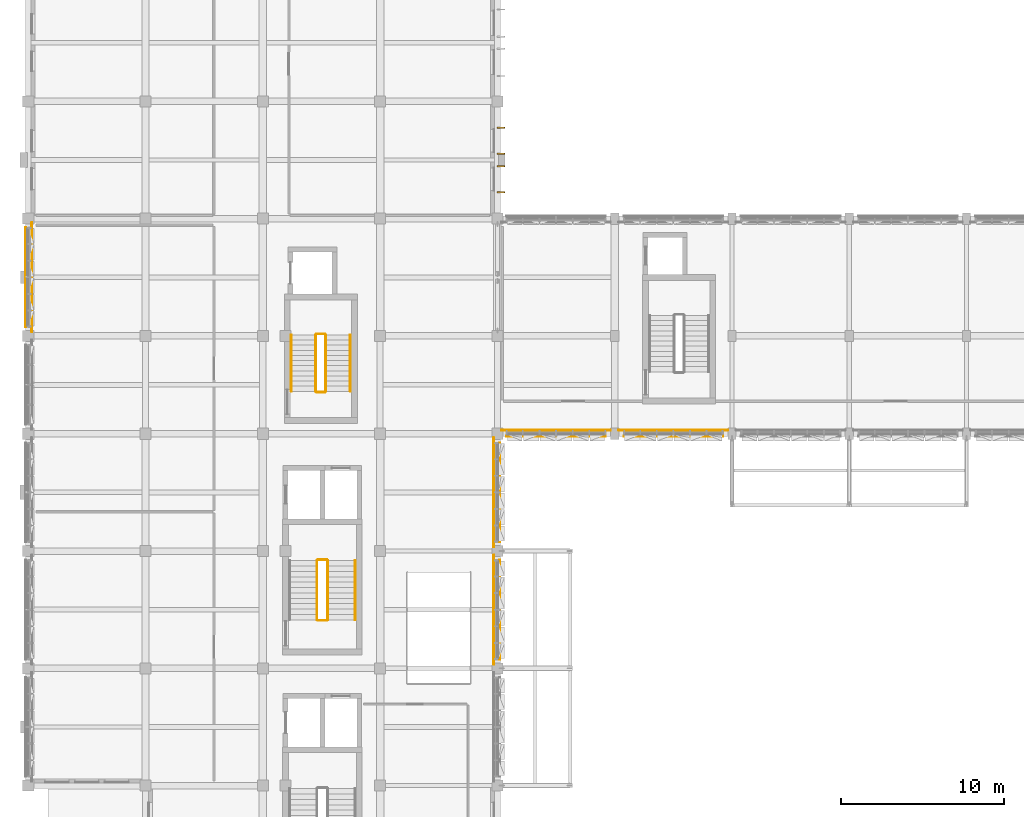
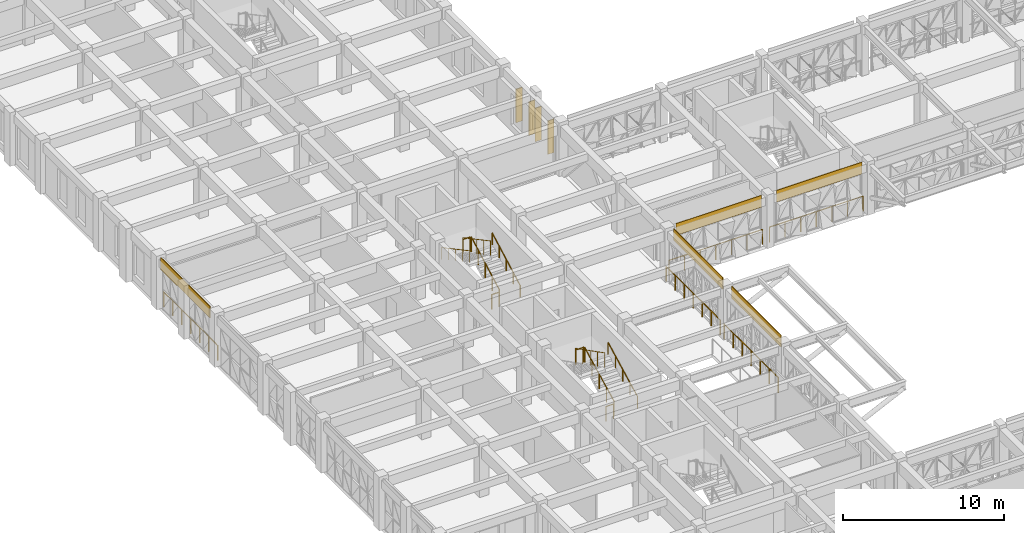
# One storey, part 72 of 88: 16 railings, 9 coverings.
"""IFC4 building model written with IfcOpenShell, lengths in metres."""

import ifcopenshell
import ifcopenshell.guid

model = None  # the IFC model being written
_history = None  # IfcOwnerHistory: only IFC2X3 demands one
_inside = {}  # id of a spatial element -> (the spatial element, [elements in it])
_under = {}  # id of a project, library or spatial element -> (it, [spatial elements below it])
_declared = {}  # id of a project -> (the project, [libraries it declares])
_typed = {}  # id of a type object -> (the type object, [elements of that type])
_made_of = {}  # id of a material, layer set ... -> (it, [elements and type objects made of it])


def new_model(schema):
    """Start an empty IFC model of exactly this schema.

    Asked for "IFC4X3", IfcOpenShell would pick the latest addendum, in which some entities
    have other attributes; the version numbers below select the first issue.
    IFC2X3 requires an IfcOwnerHistory on every rooted entity: one is made here for all.
    """
    global model, _history
    if schema == "IFC4X3":
        model = ifcopenshell.file(schema_version=(4, 3, 0, 0))
    else:
        model = ifcopenshell.file(schema=schema)
    _inside.clear()
    _under.clear()
    _declared.clear()
    _typed.clear()
    _made_of.clear()
    _history = None
    if model.schema == "IFC2X3":
        org = make("IfcOrganization", Name="unknown")
        user = make(
            "IfcPersonAndOrganization",
            ThePerson=make("IfcPerson", FamilyName="unknown"),
            TheOrganization=org,
        )
        app = make(
            "IfcApplication",
            ApplicationDeveloper=org,
            Version="unknown",
            ApplicationFullName="unknown",
            ApplicationIdentifier="unknown",
        )
        _history = make(
            "IfcOwnerHistory",
            OwningUser=user,
            OwningApplication=app,
            ChangeAction="ADDED",
            CreationDate=0,
        )
    return model


def make(cls, **values):
    """One entity of the class cls with the attributes given. An attribute that is None is left unset."""
    return model.create_entity(
        cls, **{name: value for name, value in values.items() if value is not None}
    )


def rooted(cls, **values):
    """An entity with a GlobalId (a new one), such as an element, a storey or a relation."""
    return make(cls, GlobalId=ifcopenshell.guid.new(), OwnerHistory=_history, **values)


def si_unit(unit_type, name, prefix=None):
    """IfcSIUnit, for example si_unit("LENGTHUNIT", "METRE", prefix="MILLI")."""
    return make("IfcSIUnit", UnitType=unit_type, Prefix=prefix, Name=name)


def assignment(units):
    """IfcUnitAssignment: the units of a project."""
    return None if units is None else make("IfcUnitAssignment", Units=units)


def point(xyz):
    """IfcCartesianPoint."""
    return None if xyz is None else make("IfcCartesianPoint", Coordinates=xyz)


def direction(xyz):
    """IfcDirection."""
    return None if xyz is None else make("IfcDirection", DirectionRatios=xyz)


def frame(location, z_axis=None, x_axis=None):
    """IfcAxis2Placement3D, a coordinate frame: its origin and axes. An axis left out is left unset."""
    return make(
        "IfcAxis2Placement3D",
        Location=point(location),
        Axis=direction(z_axis),
        RefDirection=direction(x_axis),
    )


def frame_2d(location, x_axis=None):
    """IfcAxis2Placement2D, a coordinate frame in the plane: its origin and x axis."""
    return make(
        "IfcAxis2Placement2D", Location=point(location), RefDirection=direction(x_axis)
    )


def origin():
    """The frame at (0, 0, 0) with its axes left unset."""
    return frame((0.0, 0.0, 0.0))


def origin_2d():
    """The frame at (0, 0) in the plane with its x axis left unset."""
    return frame_2d((0.0, 0.0))


def place(relative_to, where):
    """IfcLocalPlacement: puts the frame where relative to a parent placement (None: the world)."""
    return make(
        "IfcLocalPlacement", PlacementRelTo=relative_to, RelativePlacement=where
    )


def context(
    kind, dimensions, precision=None, world=None, true_north=None, identifier=None
):
    """IfcGeometricRepresentationContext, for example the 3D "Model" context."""
    return make(
        "IfcGeometricRepresentationContext",
        ContextIdentifier=identifier,
        ContextType=kind,
        CoordinateSpaceDimension=dimensions,
        Precision=precision,
        WorldCoordinateSystem=world,
        TrueNorth=true_north,
    )


def subcontext(parent, identifier, kind, view, scale=None):
    """IfcGeometricRepresentationSubContext, for example "Body" below "Model"."""
    return make(
        "IfcGeometricRepresentationSubContext",
        ContextIdentifier=identifier,
        ContextType=kind,
        ParentContext=parent,
        TargetScale=scale,
        TargetView=view,
    )


def project(units=None, contexts=None):
    """IfcProject with its units and contexts."""
    return rooted(
        "IfcProject",
        Name="project",
        RepresentationContexts=contexts,
        UnitsInContext=assignment(units),
    )


def spatial(cls, under=None, at=None, **own):
    """A site, building, storey or space (cls), placed at a placement, below another one or the project."""
    s = rooted(cls, ObjectPlacement=at, **own)
    if under is not None:
        _under.setdefault(under.id(), (under, []))[1].append(s)
    return s


def polyline(points):
    """IfcPolyline through the points."""
    return make("IfcPolyline", Points=[point(p) for p in points])


def profile(cls, at=None, kind="AREA", **sizes):
    """A parametric profile (cls). Its sizes go by their IFC names, for example OverallWidth=200.0."""
    return make(cls, ProfileType=kind, Position=at, **sizes)


def circle(**sizes):
    """IfcCircleProfileDef."""
    return profile("IfcCircleProfileDef", **sizes)


def outline(outer, holes=None, kind="AREA"):
    """IfcArbitraryClosedProfileDef: a profile drawn as a closed curve; with holes, ...WithVoids."""
    if holes is None:
        return make("IfcArbitraryClosedProfileDef", ProfileType=kind, OuterCurve=outer)
    return make(
        "IfcArbitraryProfileDefWithVoids",
        ProfileType=kind,
        OuterCurve=outer,
        InnerCurves=holes,
    )


def extrude(swept, where, along, depth):
    """IfcExtrudedAreaSolid: the profile swept, set in the frame where, extruded along a direction by depth."""
    return make(
        "IfcExtrudedAreaSolid",
        SweptArea=swept,
        Position=where,
        ExtrudedDirection=direction(along),
        Depth=depth,
    )


def shape(context_of_items, identifier, shape_type, items):
    """IfcShapeRepresentation: the items that make up one representation, for example the "Body"."""
    return make(
        "IfcShapeRepresentation",
        ContextOfItems=context_of_items,
        RepresentationIdentifier=identifier,
        RepresentationType=shape_type,
        Items=items,
    )


def material(Name=None, Category=None):
    """IfcMaterial."""
    return make("IfcMaterial", Name=Name, Category=Category)


def layer(
    of_material, thickness, ventilated=None, Name=None, Category=None, Priority=None
):
    """IfcMaterialLayer: one layer of a wall or slab, of a material (None: an air gap)."""
    return make(
        "IfcMaterialLayer",
        Material=of_material,
        LayerThickness=thickness,
        IsVentilated=ventilated,
        Name=Name,
        Category=Category,
        Priority=Priority,
    )


def layer_set(layers, Name=None):
    """IfcMaterialLayerSet."""
    return make("IfcMaterialLayerSet", MaterialLayers=layers, LayerSetName=Name)


def made_of(thing, what):
    """Note that an element or type object is made of a material, layer set ...; save() writes the relation."""
    if what is not None:
        _made_of.setdefault(what.id(), (what, []))[1].append(thing)
    return thing


def type_object(cls, material=None, **own):
    """A type object (cls), such as IfcWallType, which elements share."""
    return made_of(rooted(cls, **own), material)


def element(
    cls,
    number,
    at=None,
    inside=None,
    cuts=None,
    type_object=None,
    material=None,
    context=None,
    identifier="Body",
    shape_type=None,
    held_by="IfcProductDefinitionShape",
    body=None,
    shapes=None,
    **own,
):
    """One element of the class cls, such as IfcWall. Its Tag is "e" and its number.

    at: its placement. inside: the storey or other place that contains it. cuts: it is an
    opening in that element (IfcRelVoidsElement). A single representation is given by context,
    identifier, shape_type and body (its items); several are given by shapes. held_by: the class
    of the entity that holds the representations. save() writes the other relations.
    """
    e = rooted(cls, Tag="e%d" % number, ObjectPlacement=at, **own)
    if body is not None:
        shapes = [shape(context, identifier, shape_type, body)]
    if shapes is not None:
        e.Representation = make(held_by, Representations=shapes)
    if inside is not None:
        _inside.setdefault(inside.id(), (inside, []))[1].append(e)
    if cuts is not None:
        rooted(
            "IfcRelVoidsElement", RelatingBuildingElement=cuts, RelatedOpeningElement=e
        )
    if type_object is not None:
        _typed.setdefault(type_object.id(), (type_object, []))[1].append(e)
    return made_of(e, material)


def aggregate(whole, parts):
    """IfcRelAggregates: a whole, such as a stair, and the parts it consists of."""
    return rooted("IfcRelAggregates", RelatingObject=whole, RelatedObjects=parts)


def save(model, path):
    """Write the relations noted so far, then the file.

    IfcRelAggregates (storeys below a building ...), IfcRelContainedInSpatialStructure (elements
    in a storey), IfcRelDefinesByType, IfcRelAssociatesMaterial and IfcRelDeclares: one each for
    every whole, place, type object, material and project.
    """
    for whole, parts in _under.values():
        aggregate(whole, parts)
    for where, things in _inside.values():
        rooted(
            "IfcRelContainedInSpatialStructure",
            RelatedElements=things,
            RelatingStructure=where,
        )
    for kind, things in _typed.values():
        rooted("IfcRelDefinesByType", RelatedObjects=things, RelatingType=kind)
    for what, things in _made_of.values():
        rooted("IfcRelAssociatesMaterial", RelatedObjects=things, RelatingMaterial=what)
    for by, libraries in _declared.values():
        rooted("IfcRelDeclares", RelatingContext=by, RelatedDefinitions=libraries)
    model.write(path)


model = new_model("IFC4")

# Units and contexts
model_context = context("Model", 3, precision=1e-05, world=origin(), true_north=direction((0.0, 1.0)))
body_context = subcontext(model_context, "Body", "Model", "MODEL_VIEW")
ifc_project = project(units=[si_unit("LENGTHUNIT", "METRE"), si_unit("AREAUNIT", "SQUARE_METRE"), si_unit("VOLUMEUNIT", "CUBIC_METRE"), si_unit("PLANEANGLEUNIT", "RADIAN"), si_unit("MASSUNIT", "GRAM", prefix="KILO")], contexts=[model_context])

# Site, building, storey
site_placement = place(None, origin())
site = spatial("IfcSite", under=ifc_project, at=site_placement, CompositionType="ELEMENT")
building_placement = place(site_placement, origin())
building = spatial("IfcBuilding", under=site, at=building_placement, Name="Alvorim Cloister Faculty of Sciences", CompositionType="ELEMENT")
storey_placement = place(building_placement, frame((0.0, 0.0, 4.5)))
storey = spatial("IfcBuildingStorey", under=building, at=storey_placement, Name="L01", CompositionType="ELEMENT", Elevation=4.5)

# Coverings
ifc_material_1 = material(Name="Anodised Aluminium Alloy 6063-T6", Category="aluminium")
ifc_layer_1 = layer(ifc_material_1, 0.031982421875)
ifc_layer_set_1 = layer_set([ifc_layer_1], Name="Anodised Aluminium Alloy 6063-T6")
covering_type_1 = type_object("IfcCoveringType", Name="COV-FAC-CAS", PredefinedType="CLADDING", material=ifc_layer_set_1)
for number, where, z_axis, x_axis, name in (
    (1, (-0.14990234375, 49.739990234375, 3.14990234375), (0.0, 0.0, 1.0), (0.0, 1.0, 0.0), "L01 Shifted Bar Slab-Edge Architectural Fascia"),
    (2, (36.5400390625, 43.050048828125, 3.14990234375), (0.0, 0.0, 1.0), (1.0, 0.0, 0.0), "L01 Shifted Bar Slab-Edge Architectural Fascia"),
    (3, (29.340087890625, 43.050048828125, 3.14990234375), (0.0, 0.0, 1.0), (1.0, 0.0, 0.0), "L01 Shifted Bar Slab-Edge Architectural Fascia"),
    (4, (28.949951171875, 36.5400390625, 3.14990234375), (0.0, 0.0, 1.0), (0.0, 1.0, 0.0), "L01 Shifted Bar Slab-Edge Architectural Fascia"),
    (5, (28.949951171875, 29.340087890625, 3.14990234375), (0.0, 0.0, 1.0), (0.0, 1.0, 0.0), "L01 Shifted Bar Slab-Edge Architectural Fascia"),
):
    element("IfcCovering", number, at=place(storey_placement, frame(where, z_axis=z_axis, x_axis=x_axis)), inside=storey, type_object=covering_type_1, Name=name, PredefinedType="CLADDING", context=body_context, shape_type="SweptSolid", body=[
        extrude(outline(polyline([(0.0, 0.0), (6.1201171875, 0.0), (6.1201171875, 0.89013671875), (0.0, 0.89013671875), (0.0, 0.0)])), frame((0.0, 0.0224609375, 0.0), z_axis=(0.0, -1.0, 0.0), x_axis=(1.0, 0.0, 0.0)), (0.0, 0.0, 1.0), 0.044921875),
    ])
ifc_layer_2 = layer(ifc_material_1, 0.054931640625)
ifc_layer_set_2 = layer_set([ifc_layer_2], Name="Anodised Aluminium Alloy 6063-T6")
covering_type_2 = type_object("IfcCoveringType", Name="COV-SHD-FIN", PredefinedType="CLADDING", material=ifc_layer_set_2)
for number, where, z_axis, x_axis, name in (
    (6, (28.800048828125, 58.026611328125, 0.389892578125), (0.0, 0.0, 1.0), (1.0, 0.0, 0.0), "L01 Brise-Soleil Vertical Fin COV-FIN-00280"),
    (7, (28.800048828125, 59.606689453125, 0.389892578125), (0.0, 0.0, 1.0), (1.0, 0.0, 0.0), "L01 Brise-Soleil Vertical Fin COV-FIN-00281"),
    (8, (28.800048828125, 60.393310546875, 0.389892578125), (0.0, 0.0, 1.0), (1.0, 0.0, 0.0), "L01 Brise-Soleil Vertical Fin COV-FIN-00282"),
    (9, (28.800048828125, 61.973388671875, 0.389892578125), (0.0, 0.0, 1.0), (1.0, 0.0, 0.0), "L01 Brise-Soleil Vertical Fin COV-FIN-00283"),
):
    element("IfcCovering", number, at=place(storey_placement, frame(where, z_axis=z_axis, x_axis=x_axis)), inside=storey, type_object=covering_type_2, Name=name, PredefinedType="CLADDING", context=body_context, shape_type="SweptSolid", body=[
        extrude(outline(polyline([(0.0, 0.0), (0.43994140625, 0.0), (0.43994140625, 2.5400390625), (0.0, 2.5400390625), (0.0, 0.0)])), frame((0.0, 0.02734375, 0.0), z_axis=(0.0, -1.0, 0.0), x_axis=(1.0, 0.0, 0.0)), (0.0, 0.0, 1.0), 0.054931640625),
    ])

# Railings
ifc_material_2 = material(Name="Laminated Safety Glass and Bronze", Category="glass")
railing_type_1 = type_object("IfcRailingType", Name="RL-ATR-BAL-1150", PredefinedType="BALUSTRADE", material=ifc_material_2)
railing_1_placement = place(storey_placement, frame((0.219970703125, 49.449951171875, 0.0)))
element("IfcRailing", 10, at=railing_1_placement, inside=storey, type_object=railing_type_1, Name="L01 Curtain Wall Sill Guard BL-05", PredefinedType="BALUSTRADE", context=body_context, shape_type="SweptSolid", body=[
    extrude(circle(Radius=0.02392578125, at=origin_2d()), frame((0.0, 0.0, 1.1259765625), z_axis=(0.0, 1.0, 0.0), x_axis=(-1.0, 0.0, 0.0)), (0.0, 0.0, 1.0), 6.699951171875),
    extrude(circle(Radius=0.02099609375, at=origin_2d()), origin(), (0.0, 0.0, 1.0), 1.101806640625),
    extrude(circle(Radius=0.02099609375, at=origin_2d()), frame((0.0, 1.11669921875, 0.0)), (0.0, 0.0, 1.0), 1.101806640625),
    extrude(circle(Radius=0.02099609375, at=origin_2d()), frame((0.0, 2.2333984375, 0.0)), (0.0, 0.0, 1.0), 1.101806640625),
    extrude(circle(Radius=0.02099609375, at=origin_2d()), frame((0.0, 3.35009765625, 0.0)), (0.0, 0.0, 1.0), 1.101806640625),
    extrude(circle(Radius=0.02099609375, at=origin_2d()), frame((0.0, 4.466552734375, 0.0)), (0.0, 0.0, 1.0), 1.101806640625),
    extrude(circle(Radius=0.02099609375, at=origin_2d()), frame((0.0, 5.583251953125, 0.0)), (0.0, 0.0, 1.0), 1.101806640625),
    extrude(circle(Radius=0.02099609375, at=origin_2d()), frame((0.0, 6.699951171875, 0.0)), (0.0, 0.0, 1.0), 1.101806640625),
])
for number, where, name in (
    (11, (36.25, 43.419921875, 0.0), "L01 Curtain Wall Sill Guard BL-16"),
    (12, (29.050048828125, 43.419921875, 0.0), "L01 Curtain Wall Sill Guard BL-17"),
):
    element("IfcRailing", number, at=place(storey_placement, frame(where)), inside=storey, type_object=railing_type_1, Name=name, PredefinedType="BALUSTRADE", context=body_context, shape_type="SweptSolid", body=[
        extrude(circle(Radius=0.02392578125, at=origin_2d()), frame((0.0, 0.0, 1.1259765625), z_axis=(1.0, 0.0, 0.0), x_axis=(0.0, 1.0, 0.0)), (0.0, 0.0, 1.0), 6.699951171875),
        extrude(circle(Radius=0.02099609375, at=origin_2d()), origin(), (0.0, 0.0, 1.0), 1.101806640625),
        extrude(circle(Radius=0.02099609375, at=origin_2d()), frame((1.11669921875, 0.0, 0.0)), (0.0, 0.0, 1.0), 1.101806640625),
        extrude(circle(Radius=0.02099609375, at=origin_2d()), frame((2.2333984375, 0.0, 0.0)), (0.0, 0.0, 1.0), 1.101806640625),
        extrude(circle(Radius=0.02099609375, at=origin_2d()), frame((3.35009765625, 0.0, 0.0)), (0.0, 0.0, 1.0), 1.101806640625),
        extrude(circle(Radius=0.02099609375, at=origin_2d()), frame((4.466552734375, 0.0, 0.0)), (0.0, 0.0, 1.0), 1.101806640625),
        extrude(circle(Radius=0.02099609375, at=origin_2d()), frame((5.583251953125, 0.0, 0.0)), (0.0, 0.0, 1.0), 1.101806640625),
        extrude(circle(Radius=0.02099609375, at=origin_2d()), frame((6.699951171875, 0.0, 0.0)), (0.0, 0.0, 1.0), 1.101806640625),
    ])
for number, where, name in (
    (13, (28.580078125, 36.25, 0.0), "L01 Curtain Wall Sill Guard BL-18"),
    (14, (28.580078125, 29.050048828125, 0.0), "L01 Curtain Wall Sill Guard BL-19"),
):
    element("IfcRailing", number, at=place(storey_placement, frame(where)), inside=storey, type_object=railing_type_1, Name=name, PredefinedType="BALUSTRADE", context=body_context, shape_type="SweptSolid", body=[
        extrude(circle(Radius=0.02392578125, at=origin_2d()), frame((0.0, 0.0, 1.1259765625), z_axis=(0.0, 1.0, 0.0), x_axis=(-1.0, 0.0, 0.0)), (0.0, 0.0, 1.0), 6.699951171875),
        extrude(circle(Radius=0.02099609375, at=origin_2d()), origin(), (0.0, 0.0, 1.0), 1.101806640625),
        extrude(circle(Radius=0.02099609375, at=origin_2d()), frame((0.0, 1.11669921875, 0.0)), (0.0, 0.0, 1.0), 1.101806640625),
        extrude(circle(Radius=0.02099609375, at=origin_2d()), frame((0.0, 2.2333984375, 0.0)), (0.0, 0.0, 1.0), 1.101806640625),
        extrude(circle(Radius=0.02099609375, at=origin_2d()), frame((0.0, 3.35009765625, 0.0)), (0.0, 0.0, 1.0), 1.101806640625),
        extrude(circle(Radius=0.02099609375, at=origin_2d()), frame((0.0, 4.466552734375, 0.0)), (0.0, 0.0, 1.0), 1.101806640625),
        extrude(circle(Radius=0.02099609375, at=origin_2d()), frame((0.0, 5.583251953125, 0.0)), (0.0, 0.0, 1.0), 1.101806640625),
        extrude(circle(Radius=0.02099609375, at=origin_2d()), frame((0.0, 6.699951171875, 0.0)), (0.0, 0.0, 1.0), 1.101806640625),
    ])
ifc_material_3 = material(Name="Galvanised Painted Steel", Category="steel")
railing_type_2 = type_object("IfcRailingType", Name="RL-STR-GUARD", PredefinedType="GUARDRAIL", material=ifc_material_3)
railing_2_placement = place(storey_placement, frame((18.389892578125, 31.780029296875, 0.168701171875)))
element("IfcRailing", 15, at=railing_2_placement, inside=storey, type_object=railing_type_2, Name="L01 ST-02 stair guard 1", PredefinedType="GUARDRAIL", context=body_context, shape_type="SweptSolid", body=[
    extrude(circle(Radius=0.02392578125, at=origin_2d()), frame((0.0, 0.0, 1.09619140625), z_axis=(0.0, 0.890342447641, 0.455291473595), x_axis=(-1.0, 0.0, 0.0)), (0.0, 0.0, 1.0), 4.076904296875),
    extrude(circle(Radius=0.02099609375, at=origin_2d()), origin(), (0.0, 0.0, 1.0), 1.072021484375),
    extrude(circle(Radius=0.02099609375, at=origin_2d()), frame((0.0, 0.907470703125, 0.464111328125)), (0.0, 0.0, 1.0), 1.072021484375),
    extrude(circle(Radius=0.02099609375, at=origin_2d()), frame((0.0, 1.81494140625, 0.92822265625)), (0.0, 0.0, 1.0), 1.072021484375),
    extrude(circle(Radius=0.02099609375, at=origin_2d()), frame((0.0, 2.722412109375, 1.39208984375)), (0.0, 0.0, 1.0), 1.072021484375),
    extrude(circle(Radius=0.02099609375, at=origin_2d()), frame((0.0, 3.6298828125, 1.856201171875)), (0.0, 0.0, 1.0), 1.072021484375),
])
railing_3_placement = place(storey_placement, frame((18.340087890625, 35.4599609375, 2.02490234375)))
element("IfcRailing", 16, at=railing_3_placement, inside=storey, type_object=railing_type_2, Name="L01 ST-02 stair guard 2", PredefinedType="GUARDRAIL", context=body_context, shape_type="SweptSolid", body=[
    extrude(circle(Radius=0.02392578125, at=origin_2d()), frame((0.0, 0.0, 1.09619140625), z_axis=(-1.0, 0.0, 0.0), x_axis=(0.0, -1.0, 0.0)), (0.0, 0.0, 1.0), 0.56005859375),
    extrude(circle(Radius=0.02099609375, at=origin_2d()), origin(), (0.0, 0.0, 1.0), 1.072021484375),
    extrude(circle(Radius=0.02099609375, at=origin_2d()), frame((-0.56005859375, 0.0, 0.0)), (0.0, 0.0, 1.0), 1.072021484375),
])
railing_4_placement = place(storey_placement, frame((17.72998046875, 35.409912109375, 2.19384765625)))
element("IfcRailing", 17, at=railing_4_placement, inside=storey, type_object=railing_type_2, Name="L01 ST-02 stair guard 3", PredefinedType="GUARDRAIL", context=body_context, shape_type="SweptSolid", body=[
    extrude(circle(Radius=0.02392578125, at=origin_2d()), frame((0.0, 0.0, 1.09619140625), z_axis=(0.0, -0.890342447641, 0.455291473595), x_axis=(1.0, 0.0, 0.0)), (0.0, 0.0, 1.0), 4.076904296875),
    extrude(circle(Radius=0.02099609375, at=origin_2d()), origin(), (0.0, 0.0, 1.0), 1.072021484375),
    extrude(circle(Radius=0.02099609375, at=origin_2d()), frame((0.0, -0.907470703125, 0.464111328125)), (0.0, 0.0, 1.0), 1.072021484375),
    extrude(circle(Radius=0.02099609375, at=origin_2d()), frame((0.0, -1.81494140625, 0.92822265625)), (0.0, 0.0, 1.0), 1.072021484375),
    extrude(circle(Radius=0.02099609375, at=origin_2d()), frame((0.0, -2.722412109375, 1.39208984375)), (0.0, 0.0, 1.0), 1.072021484375),
    extrude(circle(Radius=0.02099609375, at=origin_2d()), frame((0.0, -3.6298828125, 1.856201171875)), (0.0, 0.0, 1.0), 1.072021484375),
])
railing_5_placement = place(storey_placement, frame((18.340087890625, 31.72998046875, 0.0)))
element("IfcRailing", 18, at=railing_5_placement, inside=storey, type_object=railing_type_2, Name="L01 ST-02 stair guard 4", PredefinedType="GUARDRAIL", context=body_context, shape_type="SweptSolid", body=[
    extrude(circle(Radius=0.02392578125, at=origin_2d()), frame((0.0, 0.0, 1.09619140625), z_axis=(-1.0, 0.0, 0.0), x_axis=(0.0, -1.0, 0.0)), (0.0, 0.0, 1.0), 0.56005859375),
    extrude(circle(Radius=0.02099609375, at=origin_2d()), origin(), (0.0, 0.0, 1.0), 1.072021484375),
    extrude(circle(Radius=0.02099609375, at=origin_2d()), frame((-0.56005859375, 0.0, 0.0)), (0.0, 0.0, 1.0), 1.072021484375),
])
railing_6_placement = place(storey_placement, frame((18.27001953125, 45.800048828125, 0.168701171875)))
element("IfcRailing", 19, at=railing_6_placement, inside=storey, type_object=railing_type_2, Name="L01 ST-03 stair guard 1", PredefinedType="GUARDRAIL", context=body_context, shape_type="SweptSolid", body=[
    extrude(circle(Radius=0.02392578125, at=origin_2d()), frame((0.0, 0.0, 1.09619140625), z_axis=(0.0, 0.881476276595, 0.47222830686), x_axis=(-1.0, 0.0, 0.0)), (0.0, 0.0, 1.0), 3.9306640625),
    extrude(circle(Radius=0.02099609375, at=origin_2d()), origin(), (0.0, 0.0, 1.0), 1.072021484375),
    extrude(circle(Radius=0.02099609375, at=origin_2d()), frame((0.0, 0.8662109375, 0.464111328125)), (0.0, 0.0, 1.0), 1.072021484375),
    extrude(circle(Radius=0.02099609375, at=origin_2d()), frame((0.0, 1.732421875, 0.92822265625)), (0.0, 0.0, 1.0), 1.072021484375),
    extrude(circle(Radius=0.02099609375, at=origin_2d()), frame((0.0, 2.5986328125, 1.39208984375)), (0.0, 0.0, 1.0), 1.072021484375),
    extrude(circle(Radius=0.02099609375, at=origin_2d()), frame((0.0, 3.46484375, 1.856201171875)), (0.0, 0.0, 1.0), 1.072021484375),
])
railing_7_placement = place(storey_placement, frame((18.219970703125, 49.31494140625, 2.02490234375)))
element("IfcRailing", 20, at=railing_7_placement, inside=storey, type_object=railing_type_2, Name="L01 ST-03 stair guard 2", PredefinedType="GUARDRAIL", context=body_context, shape_type="SweptSolid", body=[
    extrude(circle(Radius=0.02392578125, at=origin_2d()), frame((0.0, 0.0, 1.09619140625), z_axis=(-1.0, 0.0, 0.0), x_axis=(0.0, -1.0, 0.0)), (0.0, 0.0, 1.0), 0.52001953125),
    extrude(circle(Radius=0.02099609375, at=origin_2d()), origin(), (0.0, 0.0, 1.0), 1.072021484375),
    extrude(circle(Radius=0.02099609375, at=origin_2d()), frame((-0.52001953125, 0.0, 0.0)), (0.0, 0.0, 1.0), 1.072021484375),
])
railing_8_placement = place(storey_placement, frame((17.64990234375, 49.264892578125, 2.19384765625)))
element("IfcRailing", 21, at=railing_8_placement, inside=storey, type_object=railing_type_2, Name="L01 ST-03 stair guard 3", PredefinedType="GUARDRAIL", context=body_context, shape_type="SweptSolid", body=[
    extrude(circle(Radius=0.02392578125, at=origin_2d()), frame((0.0, 0.0, 1.09619140625), z_axis=(0.0, -0.881476276595, 0.47222830686), x_axis=(1.0, 0.0, 0.0)), (0.0, 0.0, 1.0), 3.9306640625),
    extrude(circle(Radius=0.02099609375, at=origin_2d()), origin(), (0.0, 0.0, 1.0), 1.072021484375),
    extrude(circle(Radius=0.02099609375, at=origin_2d()), frame((0.0, -0.8662109375, 0.464111328125)), (0.0, 0.0, 1.0), 1.072021484375),
    extrude(circle(Radius=0.02099609375, at=origin_2d()), frame((0.0, -1.732421875, 0.92822265625)), (0.0, 0.0, 1.0), 1.072021484375),
    extrude(circle(Radius=0.02099609375, at=origin_2d()), frame((0.0, -2.5986328125, 1.39208984375)), (0.0, 0.0, 1.0), 1.072021484375),
    extrude(circle(Radius=0.02099609375, at=origin_2d()), frame((0.0, -3.46484375, 1.856201171875)), (0.0, 0.0, 1.0), 1.072021484375),
])
railing_9_placement = place(storey_placement, frame((18.219970703125, 45.75, 0.0)))
element("IfcRailing", 22, at=railing_9_placement, inside=storey, type_object=railing_type_2, Name="L01 ST-03 stair guard 4", PredefinedType="GUARDRAIL", context=body_context, shape_type="SweptSolid", body=[
    extrude(circle(Radius=0.02392578125, at=origin_2d()), frame((0.0, 0.0, 1.09619140625), z_axis=(-1.0, 0.0, 0.0), x_axis=(0.0, -1.0, 0.0)), (0.0, 0.0, 1.0), 0.52001953125),
    extrude(circle(Radius=0.02099609375, at=origin_2d()), origin(), (0.0, 0.0, 1.0), 1.072021484375),
    extrude(circle(Radius=0.02099609375, at=origin_2d()), frame((-0.52001953125, 0.0, 0.0)), (0.0, 0.0, 1.0), 1.072021484375),
])
ifc_material_4 = material(Name="Brushed Stainless Steel", Category="steel")
railing_type_3 = type_object("IfcRailingType", Name="RL-STR-HAND", PredefinedType="HANDRAIL", material=ifc_material_4)
railing_10_placement = place(storey_placement, frame((20.070068359375, 31.780029296875, 0.168701171875)))
element("IfcRailing", 23, at=railing_10_placement, inside=storey, type_object=railing_type_3, Name="L01 ST-02 stair handrail 1", PredefinedType="HANDRAIL", context=body_context, shape_type="SweptSolid", body=[
    extrude(circle(Radius=0.02392578125, at=origin_2d()), frame((0.0, 0.0, 0.8759765625), z_axis=(0.0, 0.890342447641, 0.455291473595), x_axis=(-1.0, 0.0, 0.0)), (0.0, 0.0, 1.0), 4.076904296875),
    extrude(circle(Radius=0.02099609375, at=origin_2d()), origin(), (0.0, 0.0, 1.0), 0.851806640625),
    extrude(circle(Radius=0.02099609375, at=origin_2d()), frame((0.0, 0.907470703125, 0.464111328125)), (0.0, 0.0, 1.0), 0.851806640625),
    extrude(circle(Radius=0.02099609375, at=origin_2d()), frame((0.0, 1.81494140625, 0.92822265625)), (0.0, 0.0, 1.0), 0.851806640625),
    extrude(circle(Radius=0.02099609375, at=origin_2d()), frame((0.0, 2.722412109375, 1.39208984375)), (0.0, 0.0, 1.0), 0.851806640625),
    extrude(circle(Radius=0.02099609375, at=origin_2d()), frame((0.0, 3.6298828125, 1.856201171875)), (0.0, 0.0, 1.0), 0.851806640625),
])
railing_11_placement = place(storey_placement, frame((19.77001953125, 45.800048828125, 0.168701171875)))
element("IfcRailing", 24, at=railing_11_placement, inside=storey, type_object=railing_type_3, Name="L01 ST-03 stair handrail 1", PredefinedType="HANDRAIL", context=body_context, shape_type="SweptSolid", body=[
    extrude(circle(Radius=0.02392578125, at=origin_2d()), frame((0.0, 0.0, 0.8759765625), z_axis=(0.0, 0.881476276595, 0.47222830686), x_axis=(-1.0, 0.0, 0.0)), (0.0, 0.0, 1.0), 3.9306640625),
    extrude(circle(Radius=0.02099609375, at=origin_2d()), origin(), (0.0, 0.0, 1.0), 0.851806640625),
    extrude(circle(Radius=0.02099609375, at=origin_2d()), frame((0.0, 0.8662109375, 0.464111328125)), (0.0, 0.0, 1.0), 0.851806640625),
    extrude(circle(Radius=0.02099609375, at=origin_2d()), frame((0.0, 1.732421875, 0.92822265625)), (0.0, 0.0, 1.0), 0.851806640625),
    extrude(circle(Radius=0.02099609375, at=origin_2d()), frame((0.0, 2.5986328125, 1.39208984375)), (0.0, 0.0, 1.0), 0.851806640625),
    extrude(circle(Radius=0.02099609375, at=origin_2d()), frame((0.0, 3.46484375, 1.856201171875)), (0.0, 0.0, 1.0), 0.851806640625),
])
railing_12_placement = place(storey_placement, frame((16.14990234375, 49.264892578125, 2.19384765625)))
element("IfcRailing", 25, at=railing_12_placement, inside=storey, type_object=railing_type_3, Name="L01 ST-03 stair handrail 2", PredefinedType="HANDRAIL", context=body_context, shape_type="SweptSolid", body=[
    extrude(circle(Radius=0.02392578125, at=origin_2d()), frame((0.0, 0.0, 0.8759765625), z_axis=(0.0, -0.881476276595, 0.47222830686), x_axis=(1.0, 0.0, 0.0)), (0.0, 0.0, 1.0), 3.9306640625),
    extrude(circle(Radius=0.02099609375, at=origin_2d()), origin(), (0.0, 0.0, 1.0), 0.851806640625),
    extrude(circle(Radius=0.02099609375, at=origin_2d()), frame((0.0, -0.8662109375, 0.464111328125)), (0.0, 0.0, 1.0), 0.851806640625),
    extrude(circle(Radius=0.02099609375, at=origin_2d()), frame((0.0, -1.732421875, 0.92822265625)), (0.0, 0.0, 1.0), 0.851806640625),
    extrude(circle(Radius=0.02099609375, at=origin_2d()), frame((0.0, -2.5986328125, 1.39208984375)), (0.0, 0.0, 1.0), 0.851806640625),
    extrude(circle(Radius=0.02099609375, at=origin_2d()), frame((0.0, -3.46484375, 1.856201171875)), (0.0, 0.0, 1.0), 0.851806640625),
])

save(model, "model.ifc")
